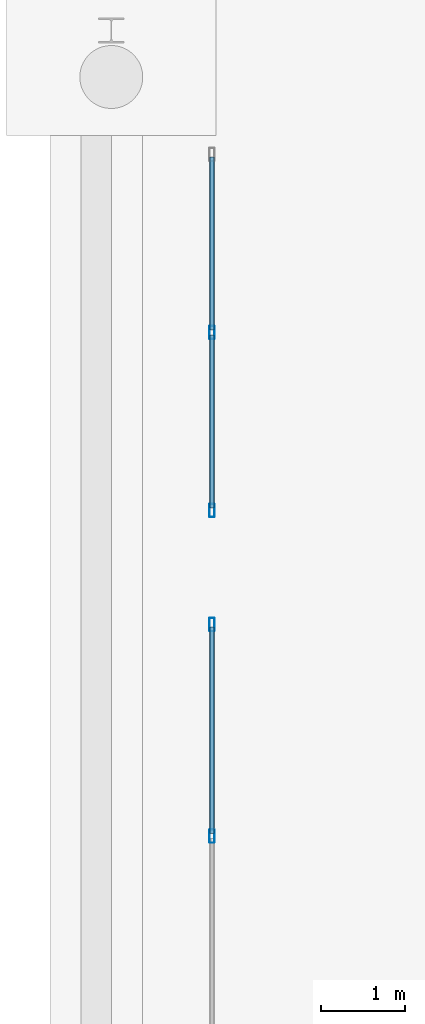
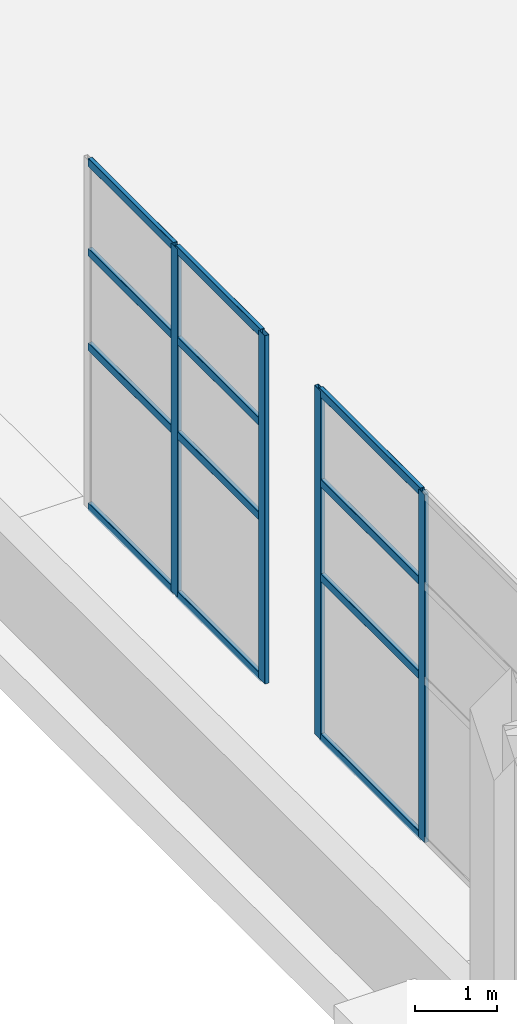
# One storey, part 32 of 91: 16 members, 2 elements without a shape of their own.
"""IFC4 building model written with IfcOpenShell, lengths in metres."""

from ifc_helpers import new_model, si_unit, direction, frame, origin, origin_2d, place, context, subcontext, project, spatial, hollow_rectangle, extrude, material, material_profile, profile_set, type_object, element, aggregate, save


model = new_model("IFC4")

# Units and contexts
model_context = context("Model", 3, precision=1e-05, world=origin(), true_north=direction((0.0, 1.0)))
body_context = subcontext(model_context, "Body", "Model", "MODEL_VIEW")
ifc_project = project(units=[si_unit("LENGTHUNIT", "METRE"), si_unit("AREAUNIT", "SQUARE_METRE"), si_unit("VOLUMEUNIT", "CUBIC_METRE"), si_unit("PLANEANGLEUNIT", "RADIAN"), si_unit("MASSUNIT", "GRAM", prefix="KILO")], contexts=[model_context])

# Site, building, storey
site_placement = place(None, origin())
site = spatial("IfcSite", under=ifc_project, at=site_placement, CompositionType="ELEMENT")
building_placement = place(site_placement, origin())
building = spatial("IfcBuilding", under=site, at=building_placement, Name="Bramveld Media Centre", CompositionType="ELEMENT")
storey_placement = place(building_placement, origin())
storey = spatial("IfcBuildingStorey", under=building, at=storey_placement, Name="L00", CompositionType="ELEMENT", Elevation=0.0)

# Curtain wall, members
ifc_material_1 = material(Name="Thermally broken anodized bronze aluminium unitized curtain wall with solar-control triple glazing", Category="aluminium")
curtain_wall_type_1 = type_object("IfcCurtainWallType", Name="CW-GAL-5100x5160", PredefinedType="NOTDEFINED", material=ifc_material_1)
curtain_wall_1_placement = place(storey_placement, origin())
curtain_wall_1 = element("IfcCurtainWall", 1, at=curtain_wall_1_placement, inside=storey, type_object=curtain_wall_type_1, Name="COLN-W colonnade glazed screen 1", PredefinedType="NOTDEFINED")
ifc_material_2 = material(Name="Thermally broken anodized bronze aluminium EN AW-6063 T6 curtain-wall framing", Category="aluminium")
ifc_material_profile_1 = material_profile(ifc_material_2, hollow_rectangle(XDim=0.06005859375, YDim=0.159912109375, WallThickness=0.00390625, InnerFilletRadius=0.00390625, OuterFilletRadius=0.008056640625, at=origin_2d()), Name="AL-MULL 60x160")
ifc_profile_set_1 = profile_set([ifc_material_profile_1], Name="Thermally broken anodized bronze aluminium EN AW-6063 T6 curtain-wall framing")
member_type_1 = type_object("IfcMemberType", Name="CW-MULL-EXT", PredefinedType="MULLION", material=ifc_profile_set_1)
member_1_placement = place(storey_placement, frame((1.199951171875, 72.0, 0.0), z_axis=(0.0, 0.0, 1.0), x_axis=(-1.0, 0.0, 0.0)))
member_1 = element("IfcMember", 2, at=member_1_placement, type_object=member_type_1, Name="CW-GA-5151 mullion 2", PredefinedType="MULLION", context=body_context, shape_type="SweptSolid", body=[
    extrude(hollow_rectangle(XDim=0.06005859375, YDim=0.159912109375, WallThickness=0.00390625, InnerFilletRadius=0.00390625, OuterFilletRadius=0.008056640625, at=origin_2d()), origin(), (0.0, 0.0, 1.0), 5.159912109375),
])
member_2_placement = place(storey_placement, frame((1.199951171875, 74.52001953125, 0.0), z_axis=(0.0, 0.0, 1.0), x_axis=(-1.0, 0.0, 0.0)))
member_2 = element("IfcMember", 3, at=member_2_placement, type_object=member_type_1, Name="CW-GA-5151 mullion 3", PredefinedType="MULLION", context=body_context, shape_type="SweptSolid", body=[
    extrude(hollow_rectangle(XDim=0.06005859375, YDim=0.159912109375, WallThickness=0.00390625, InnerFilletRadius=0.00390625, OuterFilletRadius=0.008056640625, at=origin_2d()), origin(), (0.0, 0.0, 1.0), 5.159912109375),
])

ifc_material_3 = material(Name="Thermally broken anodized bronze aluminium unitized curtain wall with solar-control triple glazing", Category="aluminium")
curtain_wall_type_2 = type_object("IfcCurtainWallType", Name="CW-GAL-4300x5160", PredefinedType="NOTDEFINED", material=ifc_material_3)
curtain_wall_2_placement = place(storey_placement, origin())
curtain_wall_2 = element("IfcCurtainWall", 4, at=curtain_wall_2_placement, inside=storey, type_object=curtain_wall_type_2, Name="COLN-W colonnade glazed screen 2", PredefinedType="NOTDEFINED")
member_3_placement = place(storey_placement, frame((1.199951171875, 75.8798828125, 0.0), z_axis=(0.0, 0.0, 1.0), x_axis=(-1.0, 0.0, 0.0)))
member_3 = element("IfcMember", 5, at=member_3_placement, type_object=member_type_1, Name="CW-GA-4351 mullion 1", PredefinedType="MULLION", context=body_context, shape_type="SweptSolid", body=[
    extrude(hollow_rectangle(XDim=0.06005859375, YDim=0.159912109375, WallThickness=0.00390625, InnerFilletRadius=0.00390625, OuterFilletRadius=0.008056640625, at=origin_2d()), origin(), (0.0, 0.0, 1.0), 5.159912109375),
])
member_4_placement = place(storey_placement, frame((1.199951171875, 78.0, 0.0), z_axis=(0.0, 0.0, 1.0), x_axis=(-1.0, 0.0, 0.0)))
member_4 = element("IfcMember", 6, at=member_4_placement, type_object=member_type_1, Name="CW-GA-4351 mullion 2", PredefinedType="MULLION", context=body_context, shape_type="SweptSolid", body=[
    extrude(hollow_rectangle(XDim=0.06005859375, YDim=0.159912109375, WallThickness=0.00390625, InnerFilletRadius=0.00390625, OuterFilletRadius=0.008056640625, at=origin_2d()), origin(), (0.0, 0.0, 1.0), 5.159912109375),
])

# Member
ifc_material_4 = material(Name="Thermally broken anodized bronze aluminium EN AW-6063 T6 curtain-wall framing", Category="aluminium")
ifc_material_profile_2 = material_profile(ifc_material_4, hollow_rectangle(XDim=0.06005859375, YDim=0.1201171875, WallThickness=0.00341796875, InnerFilletRadius=0.00341796875, OuterFilletRadius=0.007080078125, at=origin_2d()), Name="AL-TRAN 60x120")
ifc_profile_set_2 = profile_set([ifc_material_profile_2], Name="Thermally broken anodized bronze aluminium EN AW-6063 T6 curtain-wall framing")
member_type_2 = type_object("IfcMemberType", Name="CW-TRAN-EXT", PredefinedType="USERDEFINED", material=ifc_profile_set_2)
member_5_placement = place(storey_placement, frame((1.199951171875, 72.030029296875, 0.030029296875), z_axis=(0.0, 1.0, 0.0), x_axis=(-1.0, 0.0, 0.0)))
member_5 = element("IfcMember", 7, at=member_5_placement, type_object=member_type_2, Name="CW-GA-5151 transom 2.1", ObjectType="TRANSOM", PredefinedType="USERDEFINED", context=body_context, shape_type="SweptSolid", body=[
    extrude(hollow_rectangle(XDim=0.06005859375, YDim=0.1201171875, WallThickness=0.00341796875, InnerFilletRadius=0.00341796875, OuterFilletRadius=0.007080078125, at=origin_2d()), origin(), (0.0, 0.0, 1.0), 2.4599609375),
])

member_6_placement = place(storey_placement, frame((1.199951171875, 72.030029296875, 2.39990234375), z_axis=(0.0, 1.0, 0.0), x_axis=(-1.0, 0.0, 0.0)))
member_6 = element("IfcMember", 8, at=member_6_placement, type_object=member_type_2, Name="CW-GA-5151 transom 2.2", ObjectType="TRANSOM", PredefinedType="USERDEFINED", context=body_context, shape_type="SweptSolid", body=[
    extrude(hollow_rectangle(XDim=0.06005859375, YDim=0.1201171875, WallThickness=0.00341796875, InnerFilletRadius=0.00341796875, OuterFilletRadius=0.007080078125, at=origin_2d()), origin(), (0.0, 0.0, 1.0), 2.4599609375),
])

member_7_placement = place(storey_placement, frame((1.199951171875, 72.030029296875, 3.800048828125), z_axis=(0.0, 1.0, 0.0), x_axis=(-1.0, 0.0, 0.0)))
member_7 = element("IfcMember", 9, at=member_7_placement, type_object=member_type_2, Name="CW-GA-5151 transom 2.3", ObjectType="TRANSOM", PredefinedType="USERDEFINED", context=body_context, shape_type="SweptSolid", body=[
    extrude(hollow_rectangle(XDim=0.06005859375, YDim=0.1201171875, WallThickness=0.00341796875, InnerFilletRadius=0.00341796875, OuterFilletRadius=0.007080078125, at=origin_2d()), origin(), (0.0, 0.0, 1.0), 2.4599609375),
])

member_8_placement = place(storey_placement, frame((1.199951171875, 72.030029296875, 5.1298828125), z_axis=(0.0, 1.0, 0.0), x_axis=(-1.0, 0.0, 0.0)))
member_8 = element("IfcMember", 10, at=member_8_placement, type_object=member_type_2, Name="CW-GA-5151 transom 2.4", ObjectType="TRANSOM", PredefinedType="USERDEFINED", context=body_context, shape_type="SweptSolid", body=[
    extrude(hollow_rectangle(XDim=0.06005859375, YDim=0.1201171875, WallThickness=0.00341796875, InnerFilletRadius=0.00341796875, OuterFilletRadius=0.007080078125, at=origin_2d()), origin(), (0.0, 0.0, 1.0), 2.4599609375),
])

aggregate(curtain_wall_1, [member_1, member_2, member_5, member_6, member_7, member_8])

member_9_placement = place(storey_placement, frame((1.199951171875, 75.909912109375, 0.030029296875), z_axis=(0.0, 1.0, 0.0), x_axis=(-1.0, 0.0, 0.0)))
member_9 = element("IfcMember", 11, at=member_9_placement, type_object=member_type_2, Name="CW-GA-4351 transom 1.1", ObjectType="TRANSOM", PredefinedType="USERDEFINED", context=body_context, shape_type="SweptSolid", body=[
    extrude(hollow_rectangle(XDim=0.06005859375, YDim=0.1201171875, WallThickness=0.00341796875, InnerFilletRadius=0.00341796875, OuterFilletRadius=0.007080078125, at=origin_2d()), origin(), (0.0, 0.0, 1.0), 2.06005859375),
])

member_10_placement = place(storey_placement, frame((1.199951171875, 75.909912109375, 2.39990234375), z_axis=(0.0, 1.0, 0.0), x_axis=(-1.0, 0.0, 0.0)))
member_10 = element("IfcMember", 12, at=member_10_placement, type_object=member_type_2, Name="CW-GA-4351 transom 1.2", ObjectType="TRANSOM", PredefinedType="USERDEFINED", context=body_context, shape_type="SweptSolid", body=[
    extrude(hollow_rectangle(XDim=0.06005859375, YDim=0.1201171875, WallThickness=0.00341796875, InnerFilletRadius=0.00341796875, OuterFilletRadius=0.007080078125, at=origin_2d()), origin(), (0.0, 0.0, 1.0), 2.06005859375),
])

member_11_placement = place(storey_placement, frame((1.199951171875, 75.909912109375, 3.800048828125), z_axis=(0.0, 1.0, 0.0), x_axis=(-1.0, 0.0, 0.0)))
member_11 = element("IfcMember", 13, at=member_11_placement, type_object=member_type_2, Name="CW-GA-4351 transom 1.3", ObjectType="TRANSOM", PredefinedType="USERDEFINED", context=body_context, shape_type="SweptSolid", body=[
    extrude(hollow_rectangle(XDim=0.06005859375, YDim=0.1201171875, WallThickness=0.00341796875, InnerFilletRadius=0.00341796875, OuterFilletRadius=0.007080078125, at=origin_2d()), origin(), (0.0, 0.0, 1.0), 2.06005859375),
])

member_12_placement = place(storey_placement, frame((1.199951171875, 75.909912109375, 5.1298828125), z_axis=(0.0, 1.0, 0.0), x_axis=(-1.0, 0.0, 0.0)))
member_12 = element("IfcMember", 14, at=member_12_placement, type_object=member_type_2, Name="CW-GA-4351 transom 1.4", ObjectType="TRANSOM", PredefinedType="USERDEFINED", context=body_context, shape_type="SweptSolid", body=[
    extrude(hollow_rectangle(XDim=0.06005859375, YDim=0.1201171875, WallThickness=0.00341796875, InnerFilletRadius=0.00341796875, OuterFilletRadius=0.007080078125, at=origin_2d()), origin(), (0.0, 0.0, 1.0), 2.06005859375),
])

member_13_placement = place(storey_placement, frame((1.199951171875, 78.030029296875, 0.030029296875), z_axis=(0.0, 1.0, 0.0), x_axis=(-1.0, 0.0, 0.0)))
member_13 = element("IfcMember", 15, at=member_13_placement, type_object=member_type_2, Name="CW-GA-4351 transom 2.1", ObjectType="TRANSOM", PredefinedType="USERDEFINED", context=body_context, shape_type="SweptSolid", body=[
    extrude(hollow_rectangle(XDim=0.06005859375, YDim=0.1201171875, WallThickness=0.00341796875, InnerFilletRadius=0.00341796875, OuterFilletRadius=0.007080078125, at=origin_2d()), origin(), (0.0, 0.0, 1.0), 2.06005859375),
])

member_14_placement = place(storey_placement, frame((1.199951171875, 78.030029296875, 2.39990234375), z_axis=(0.0, 1.0, 0.0), x_axis=(-1.0, 0.0, 0.0)))
member_14 = element("IfcMember", 16, at=member_14_placement, type_object=member_type_2, Name="CW-GA-4351 transom 2.2", ObjectType="TRANSOM", PredefinedType="USERDEFINED", context=body_context, shape_type="SweptSolid", body=[
    extrude(hollow_rectangle(XDim=0.06005859375, YDim=0.1201171875, WallThickness=0.00341796875, InnerFilletRadius=0.00341796875, OuterFilletRadius=0.007080078125, at=origin_2d()), origin(), (0.0, 0.0, 1.0), 2.06005859375),
])

member_15_placement = place(storey_placement, frame((1.199951171875, 78.030029296875, 3.800048828125), z_axis=(0.0, 1.0, 0.0), x_axis=(-1.0, 0.0, 0.0)))
member_15 = element("IfcMember", 17, at=member_15_placement, type_object=member_type_2, Name="CW-GA-4351 transom 2.3", ObjectType="TRANSOM", PredefinedType="USERDEFINED", context=body_context, shape_type="SweptSolid", body=[
    extrude(hollow_rectangle(XDim=0.06005859375, YDim=0.1201171875, WallThickness=0.00341796875, InnerFilletRadius=0.00341796875, OuterFilletRadius=0.007080078125, at=origin_2d()), origin(), (0.0, 0.0, 1.0), 2.06005859375),
])

member_16_placement = place(storey_placement, frame((1.199951171875, 78.030029296875, 5.1298828125), z_axis=(0.0, 1.0, 0.0), x_axis=(-1.0, 0.0, 0.0)))
member_16 = element("IfcMember", 18, at=member_16_placement, type_object=member_type_2, Name="CW-GA-4351 transom 2.4", ObjectType="TRANSOM", PredefinedType="USERDEFINED", context=body_context, shape_type="SweptSolid", body=[
    extrude(hollow_rectangle(XDim=0.06005859375, YDim=0.1201171875, WallThickness=0.00341796875, InnerFilletRadius=0.00341796875, OuterFilletRadius=0.007080078125, at=origin_2d()), origin(), (0.0, 0.0, 1.0), 2.06005859375),
])

aggregate(curtain_wall_2, [member_3, member_4, member_9, member_10, member_11, member_12, member_13, member_14, member_15, member_16])

save(model, "model.ifc")
